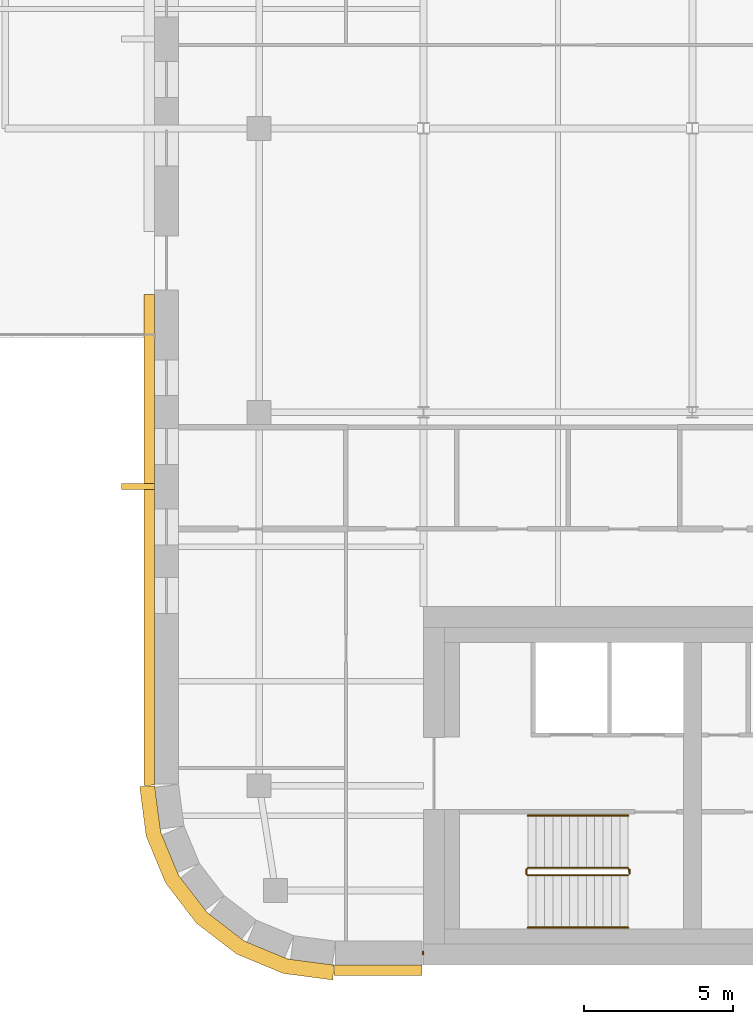
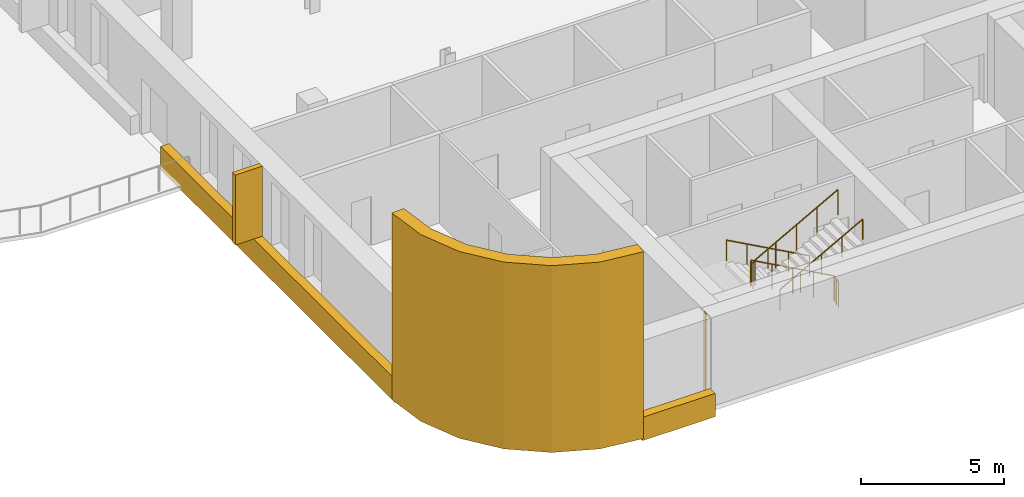
# One storey, part 13 of 17: 5 coverings, 3 railings.
"""IFC4 building model written with IfcOpenShell, lengths in metres."""

from ifc_helpers import new_model, si_unit, direction, frame, origin, origin_2d, place, context, subcontext, project, spatial, polyline, rectangle, circle, outline, extrude, material, layer, layer_set, type_object, element, save


model = new_model("IFC4")

# Units and contexts
model_context = context("Model", 3, precision=1e-05, world=origin(), true_north=direction((0.0, 1.0)))
body_context = subcontext(model_context, "Body", "Model", "MODEL_VIEW")
ifc_project = project(units=[si_unit("LENGTHUNIT", "METRE"), si_unit("AREAUNIT", "SQUARE_METRE"), si_unit("VOLUMEUNIT", "CUBIC_METRE"), si_unit("PLANEANGLEUNIT", "RADIAN"), si_unit("MASSUNIT", "GRAM", prefix="KILO")], contexts=[model_context])

# Site, building, storey
site_placement = place(None, origin())
site = spatial("IfcSite", under=ifc_project, at=site_placement, CompositionType="ELEMENT")
building_placement = place(site_placement, origin())
building = spatial("IfcBuilding", under=site, at=building_placement, Name="Zellij Exchange Tower", CompositionType="ELEMENT")
storey_placement = place(building_placement, frame((0.0, 0.0, 256.5)))
storey = spatial("IfcBuildingStorey", under=building, at=storey_placement, Name="L60", CompositionType="ELEMENT", Elevation=256.5)

# Railings
ifc_material_1 = material(Name="Stainless steel", Category="steel")
railing_type_1 = type_object("IfcRailingType", Name="CORE-RG stair guard", PredefinedType="GUARDRAIL", material=ifc_material_1)
railing_1_placement = place(storey_placement, frame((-20.10009765625, -10.800048828125, 0.0)))
element("IfcRailing", 1, at=railing_1_placement, inside=storey, type_object=railing_type_1, Name="ST1 stair guard L60", PredefinedType="GUARDRAIL", context=body_context, shape_type="SweptSolid", body=[
    extrude(circle(Radius=0.02392578125, at=origin_2d()), frame((0.0, 0.0, 1.076171875), z_axis=(0.0, -1.0, 0.0), x_axis=(1.0, 0.0, 0.0)), (0.0, 0.0, 1.0), 0.14990234375),
    extrude(circle(Radius=0.02392578125, at=origin_2d()), frame((0.0, -0.14990234375, 1.076171875), z_axis=(-0.193691321961, 0.777613689637, 0.598164376644), x_axis=(-0.970351222016, -0.241699205484, 0.0)), (0.0, 0.0, 1.0), 0.257080078125),
    extrude(circle(Radius=0.02392578125, at=origin_2d()), frame((-0.0498046875, 0.050048828125, 1.22998046875), z_axis=(-0.876421534553, 0.0, 0.481544695509), x_axis=(0.0, -1.0, 0.0)), (0.0, 0.0, 1.0), 3.833984375),
    extrude(circle(Radius=0.02392578125, at=origin_2d()), frame((-3.409912109375, 0.050048828125, 3.076171875), z_axis=(-0.707106781187, -0.707106781187, 0.0), x_axis=(0.707106781187, -0.707106781187, 0.0)), (0.0, 0.0, 1.0), 0.07080078125),
    extrude(circle(Radius=0.02392578125, at=origin_2d()), frame((-3.4599609375, 0.0, 3.076171875), z_axis=(0.0, -1.0, 0.0), x_axis=(1.0, 0.0, 0.0)), (0.0, 0.0, 1.0), 0.14990234375),
    extrude(circle(Radius=0.02392578125, at=origin_2d()), frame((-3.4599609375, -0.14990234375, 3.076171875), z_axis=(0.295599637079, -0.295599637079, 0.908428152975), x_axis=(0.707106781187, 0.707106781187, 0.0)), (0.0, 0.0, 1.0), 0.16943359375),
    extrude(circle(Radius=0.02392578125, at=origin_2d()), frame((-3.409912109375, -0.199951171875, 3.22998046875), z_axis=(0.876421534553, 0.0, 0.481544695509), x_axis=(0.0, 1.0, 0.0)), (0.0, 0.0, 1.0), 3.833984375),
    extrude(circle(Radius=0.02099609375, at=origin_2d()), origin(), (0.0, 0.0, 1.0), 1.052001953125),
    extrude(circle(Radius=0.02099609375, at=origin_2d()), frame((0.0, -0.14990234375, 0.0)), (0.0, 0.0, 1.0), 1.052001953125),
    extrude(circle(Radius=0.02099609375, at=origin_2d()), frame((-0.0498046875, 0.050048828125, 0.15380859375)), (0.0, 0.0, 1.0), 1.052001953125),
    extrude(circle(Radius=0.02099609375, at=origin_2d()), frame((-0.889892578125, 0.050048828125, 0.615234375)), (0.0, 0.0, 1.0), 1.052001953125),
    extrude(circle(Radius=0.02099609375, at=origin_2d()), frame((-1.72998046875, 0.050048828125, 1.076904296875)), (0.0, 0.0, 1.0), 1.052001953125),
    extrude(circle(Radius=0.02099609375, at=origin_2d()), frame((-2.56982421875, 0.050048828125, 1.53857421875)), (0.0, 0.0, 1.0), 1.052001953125),
    extrude(circle(Radius=0.02099609375, at=origin_2d()), frame((-3.409912109375, 0.050048828125, 2.0)), (0.0, 0.0, 1.0), 1.052001953125),
    extrude(circle(Radius=0.02099609375, at=origin_2d()), frame((-3.4599609375, 0.0, 2.0)), (0.0, 0.0, 1.0), 1.052001953125),
    extrude(circle(Radius=0.02099609375, at=origin_2d()), frame((-3.4599609375, -0.14990234375, 2.0)), (0.0, 0.0, 1.0), 1.052001953125),
    extrude(circle(Radius=0.02099609375, at=origin_2d()), frame((-3.409912109375, -0.199951171875, 2.15380859375)), (0.0, 0.0, 1.0), 1.052001953125),
    extrude(circle(Radius=0.02099609375, at=origin_2d()), frame((-2.56982421875, -0.199951171875, 2.615234375)), (0.0, 0.0, 1.0), 1.052001953125),
    extrude(circle(Radius=0.02099609375, at=origin_2d()), frame((-1.72998046875, -0.199951171875, 3.076904296875)), (0.0, 0.0, 1.0), 1.052001953125),
    extrude(circle(Radius=0.02099609375, at=origin_2d()), frame((-0.889892578125, -0.199951171875, 3.53857421875)), (0.0, 0.0, 1.0), 1.052001953125),
    extrude(circle(Radius=0.02099609375, at=origin_2d()), frame((-0.0498046875, -0.199951171875, 4.0)), (0.0, 0.0, 1.0), 1.052001953125),
])
railing_type_2 = type_object("IfcRailingType", Name="CORE-RH stair handrail", PredefinedType="HANDRAIL", material=ifc_material_1)
railing_2_placement = place(storey_placement, frame((-20.14990234375, -9.0, 0.15380859375)))
element("IfcRailing", 2, at=railing_2_placement, inside=storey, type_object=railing_type_2, Name="ST1 stair handrail L60", PredefinedType="HANDRAIL", context=body_context, shape_type="SweptSolid", body=[
    extrude(circle(Radius=0.02392578125, at=origin_2d()), frame((0.0, 0.0, 0.8759765625), z_axis=(-0.876421534553, 0.0, 0.481544695509), x_axis=(0.0, -1.0, 0.0)), (0.0, 0.0, 1.0), 3.833984375),
    extrude(circle(Radius=0.02099609375, at=origin_2d()), origin(), (0.0, 0.0, 1.0), 0.851806640625),
    extrude(circle(Radius=0.02099609375, at=origin_2d()), frame((-0.840087890625, 0.0, 0.46142578125)), (0.0, 0.0, 1.0), 0.851806640625),
    extrude(circle(Radius=0.02099609375, at=origin_2d()), frame((-1.68017578125, 0.0, 0.923095703125)), (0.0, 0.0, 1.0), 0.851806640625),
    extrude(circle(Radius=0.02099609375, at=origin_2d()), frame((-2.52001953125, 0.0, 1.384765625)), (0.0, 0.0, 1.0), 0.851806640625),
    extrude(circle(Radius=0.02099609375, at=origin_2d()), frame((-3.360107421875, 0.0, 1.84619140625)), (0.0, 0.0, 1.0), 0.851806640625),
])
railing_3_placement = place(storey_placement, frame((-23.510009765625, -12.75, 2.15380859375)))
element("IfcRailing", 3, at=railing_3_placement, inside=storey, type_object=railing_type_2, Name="ST1 stair handrail L60", PredefinedType="HANDRAIL", context=body_context, shape_type="SweptSolid", body=[
    extrude(circle(Radius=0.02392578125, at=origin_2d()), frame((0.0, 0.0, 0.8759765625), z_axis=(0.876421534553, 0.0, 0.481544695509), x_axis=(0.0, 1.0, 0.0)), (0.0, 0.0, 1.0), 3.833984375),
    extrude(circle(Radius=0.02099609375, at=origin_2d()), origin(), (0.0, 0.0, 1.0), 0.851806640625),
    extrude(circle(Radius=0.02099609375, at=origin_2d()), frame((0.840087890625, 0.0, 0.46142578125)), (0.0, 0.0, 1.0), 0.851806640625),
    extrude(circle(Radius=0.02099609375, at=origin_2d()), frame((1.68017578125, 0.0, 0.923095703125)), (0.0, 0.0, 1.0), 0.851806640625),
    extrude(circle(Radius=0.02099609375, at=origin_2d()), frame((2.52001953125, 0.0, 1.384765625)), (0.0, 0.0, 1.0), 0.851806640625),
    extrude(circle(Radius=0.02099609375, at=origin_2d()), frame((3.360107421875, 0.0, 1.84619140625)), (0.0, 0.0, 1.0), 0.851806640625),
])

# Coverings
ifc_material_2 = material(Name="Limestone cladding", Category="masonry")
ifc_layer_1 = layer(ifc_material_2, 0.35009765625)
ifc_layer_set_1 = layer_set([ifc_layer_1], Name="Limestone cladding")
covering_type_1 = type_object("IfcCoveringType", Name="ENV-CV10 Stone spandrel band 350", PredefinedType="CLADDING", material=ifc_layer_set_1)
covering_1_placement = place(storey_placement, frame((0.0, 0.0, -0.199951171875)))
element("IfcCovering", 4, at=covering_1_placement, inside=storey, type_object=covering_type_1, Name="Stone spandrel band", PredefinedType="CLADDING", context=body_context, shape_type="SweptSolid", body=[
    extrude(outline(polyline([(-29.973876953125, -14.0), (-27.050048828125, -14.0), (-27.050048828125, -14.35009765625), (-29.99658203125, -14.35009765625), (-29.973876953125, -14.0)])), origin(), (0.0, 0.0, 1.0), 1.0),
])
covering_2_placement = place(storey_placement, frame((0.0, 0.0, -0.199951171875)))
element("IfcCovering", 5, at=covering_2_placement, inside=storey, type_object=covering_type_1, Name="Stone spandrel band", PredefinedType="CLADDING", context=body_context, shape_type="SweptSolid", body=[
    extrude(outline(polyline([(-36.0, 8.449951171875), (-36.0, -7.973876953125), (-36.35009765625, -7.99658203125), (-36.35009765625, 8.449951171875), (-36.0, 8.449951171875)])), origin(), (0.0, 0.0, 1.0), 1.0),
])
ifc_layer_2 = layer(ifc_material_2, 0.5)
ifc_layer_set_2 = layer_set([ifc_layer_2], Name="Limestone cladding")
covering_type_2 = type_object("IfcCoveringType", Name="ENV-CV12 Stone corner pier 500", PredefinedType="CLADDING", material=ifc_layer_set_2)
covering_3_placement = place(storey_placement, origin())
element("IfcCovering", 6, at=covering_3_placement, inside=storey, type_object=covering_type_2, Name="Stone corner pier", PredefinedType="CLADDING", context=body_context, shape_type="SweptSolid", body=[
    extrude(outline(polyline([(-36.0, -8.0), (-35.795654296875, -9.552978515625), (-35.1962890625, -11.0), (-34.24267578125, -12.24267578125), (-33.0, -13.1962890625), (-31.552978515625, -13.795654296875), (-30.0, -14.0), (-30.03271484375, -14.5), (-31.683349609375, -14.28271484375), (-33.252197265625, -13.6328125), (-34.59912109375, -12.59912109375), (-35.6328125, -11.252197265625), (-36.28271484375, -9.683349609375), (-36.5, -8.03271484375), (-36.0, -8.0)])), origin(), (0.0, 0.0, 1.0), 8.0),
])
ifc_layer_3 = layer(ifc_material_2, 0.1201171875)
ifc_layer_set_3 = layer_set([ifc_layer_3], Name="Limestone cladding")
covering_type_3 = type_object("IfcCoveringType", Name="ENV-CV18 Glazing closer 120", PredefinedType="CLADDING", material=ifc_layer_set_3)
covering_4_placement = place(storey_placement, frame((-27.02490234375, -13.60009765625, 0.0), z_axis=(0.0, 0.0, 1.0), x_axis=(1.0, 0.0, 0.0)))
element("IfcCovering", 7, at=covering_4_placement, inside=storey, type_object=covering_type_3, Name="Glazing closer", PredefinedType="CLADDING", context=body_context, shape_type="SweptSolid", body=[
    extrude(rectangle(XDim=0.050048828125, YDim=0.1201171875, at=origin_2d()), origin(), (0.0, 0.0, 1.0), 3.800048828125),
])
covering_type_4 = type_object("IfcCoveringType", Name="ENV-CV6 Stone pier 200x1100", PredefinedType="CLADDING", material=ifc_material_2)
covering_5_placement = place(storey_placement, frame((0.0, 0.0, 0.800048828125)))
element("IfcCovering", 8, at=covering_5_placement, inside=storey, type_object=covering_type_4, Name="Stone pier", PredefinedType="CLADDING", context=body_context, shape_type="SweptSolid", body=[
    extrude(outline(polyline([(-36.0, 2.111083984375), (-36.0, 1.9111328125), (-37.10009765625, 1.9111328125), (-37.10009765625, 2.111083984375), (-36.0, 2.111083984375)])), origin(), (0.0, 0.0, 1.0), 3.0),
])

save(model, "model.ifc")
